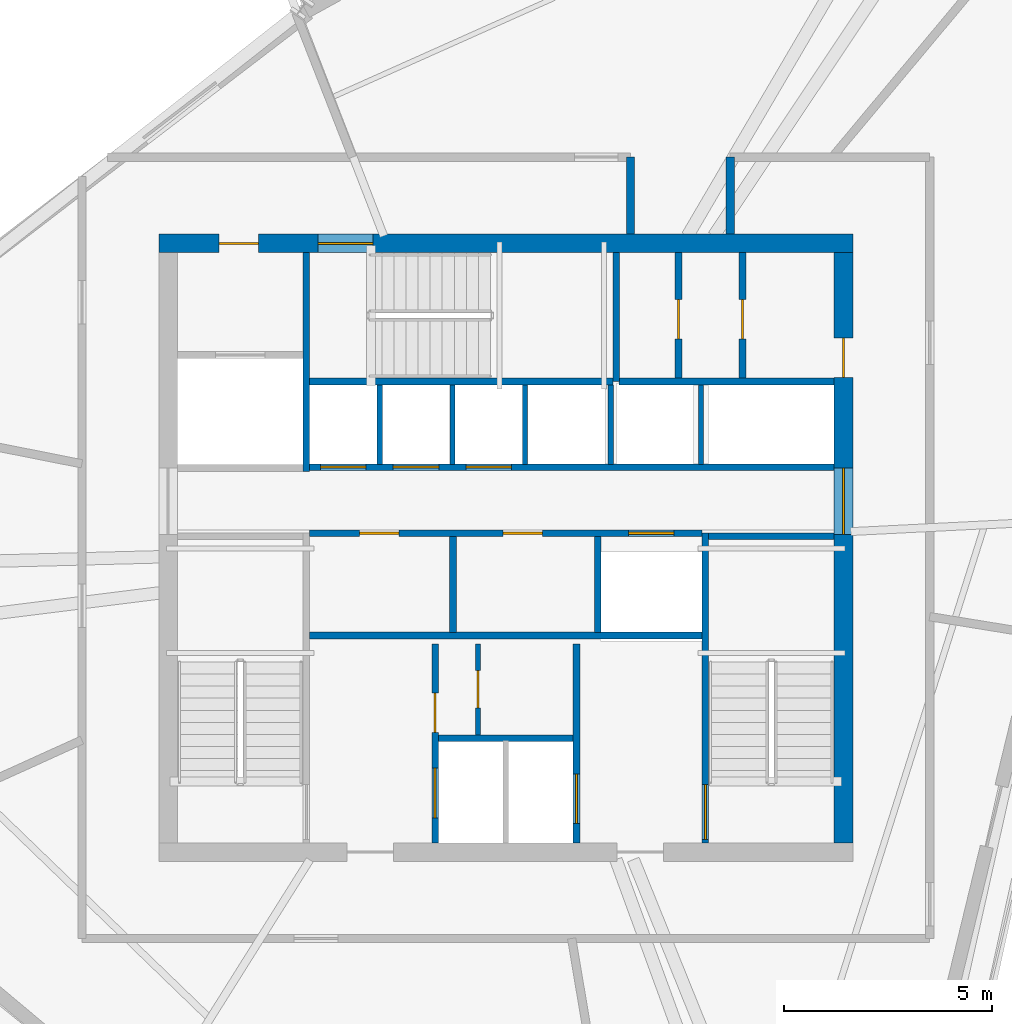
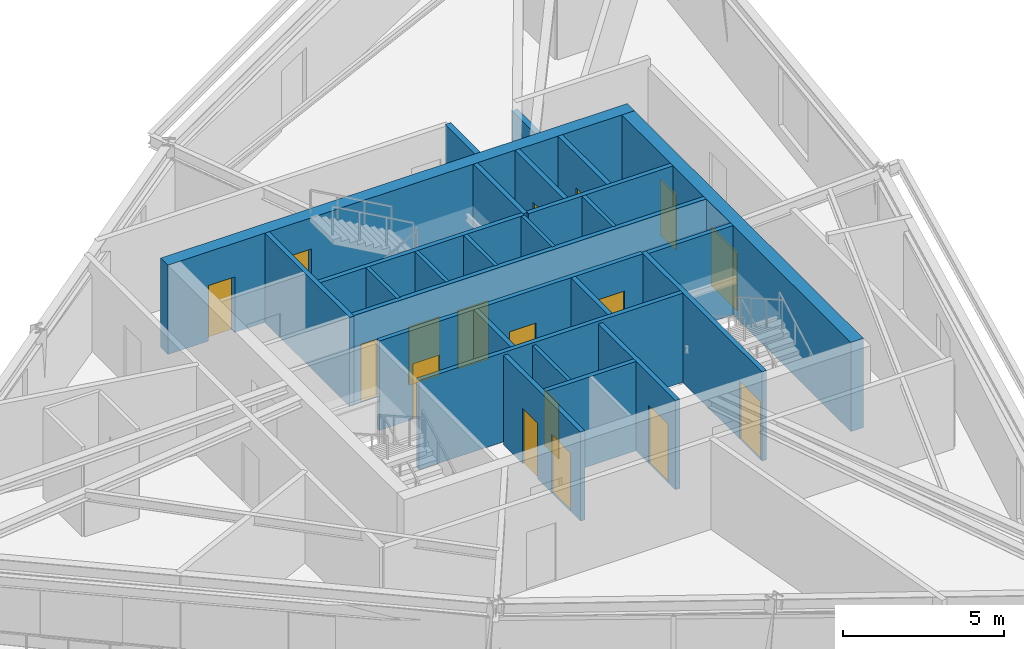
# One storey, part 9 of 13: 26 walls, 17 doors, 17 openings.
"""IFC4 building model written with IfcOpenShell, lengths in metres."""

from ifc_helpers import new_model, si_unit, direction, frame, frame_2d, origin, place, context, subcontext, project, spatial, rectangle, extrude, source, transform, mapped, material, layer, layer_set, type_object, type_shapes, element, fill, save


model = new_model("IFC4")

# Units and contexts
model_context = context("Model", 3, precision=1e-05, world=origin(), true_north=direction((0.0, 1.0)))
body_context = subcontext(model_context, "Body", "Model", "MODEL_VIEW")
ifc_project = project(units=[si_unit("LENGTHUNIT", "METRE"), si_unit("AREAUNIT", "SQUARE_METRE"), si_unit("VOLUMEUNIT", "CUBIC_METRE"), si_unit("PLANEANGLEUNIT", "RADIAN"), si_unit("MASSUNIT", "GRAM", prefix="KILO")], contexts=[model_context])

# Site, building, storey
site_placement = place(None, origin())
site = spatial("IfcSite", under=ifc_project, at=site_placement, CompositionType="ELEMENT")
building_placement = place(site_placement, origin())
building = spatial("IfcBuilding", under=site, at=building_placement, Name="Olszyna Solenne Hotel", CompositionType="ELEMENT")
storey_placement = place(building_placement, frame((0.0, 0.0, 266.89990234375)))
storey = spatial("IfcBuildingStorey", under=building, at=storey_placement, Name="L71", CompositionType="ELEMENT", Elevation=266.89990234375)

# Wall, openings, doors
ifc_material_1 = material(Name="Concrete C50/60", Category="concrete")
ifc_layer_1 = layer(ifc_material_1, 0.449951171875, Name="Concrete C50/60")
ifc_layer_set_1 = layer_set([ifc_layer_1], Name="Concrete C50/60")
wall_type_1 = type_object("IfcWallType", Name="WL-CR450", PredefinedType="SHEAR", material=ifc_layer_set_1)
wall_1_placement = place(storey_placement, frame((29.64990234375, 33.925048828125, 0.0), z_axis=(0.0, 0.0, 1.0), x_axis=(1.0, 0.0, 0.0)))
wall_1 = element("IfcWall", 1, at=wall_1_placement, inside=storey, type_object=wall_type_1, Name="Core shear wall WL-CR450 CRW-L71-N", PredefinedType="SHEAR", context=body_context, shape_type="SweptSolid", body=[
    extrude(rectangle(XDim=16.7001953125, YDim=0.449951171875, at=frame_2d((8.35009765625, 0.0))), origin(), (0.0, 0.0, 1.0), 3.380126953125),
])
opening_1_placement = place(wall_1_placement, frame((1.449951171875, 0.0, 0.0)))
opening_1 = element("IfcOpeningElement", 2, at=opening_1_placement, cuts=wall_1, Name="Opening SVD-L71-01", PredefinedType="OPENING", context=body_context, shape_type="SweptSolid", body=[
    extrude(rectangle(XDim=0.949951171875, YDim=2.10009765625, at=frame_2d((0.47509765625, 1.050048828125))), frame((0.0, 0.23486328125, 0.0), z_axis=(0.0, -1.0, 0.0), x_axis=(1.0, 0.0, 0.0)), (0.0, 0.0, 1.0), 0.469970703125),
])
opening_2_placement = place(wall_1_placement, frame((3.830078125, 0.0, 0.0)))
opening_2 = element("IfcOpeningElement", 3, at=opening_2_placement, cuts=wall_1, Name="Opening STD-L71-03", PredefinedType="OPENING", context=body_context, shape_type="SweptSolid", body=[
    extrude(rectangle(XDim=1.320068359375, YDim=2.199951171875, at=frame_2d((0.66015625, 1.10009765625))), frame((0.0, 0.23486328125, 0.0), z_axis=(0.0, -1.0, 0.0), x_axis=(1.0, 0.0, 0.0)), (0.0, 0.0, 1.0), 0.469970703125),
])
ifc_material_2 = material(Name="Steel S355J2", Category="steel")
door_type_1 = type_object("IfcDoorType", Name="DR-ST1", OperationType="NOTDEFINED", PredefinedType="DOOR", material=ifc_material_2)
shared_shape_1 = source(origin(), body_context, "Body", "SweptSolid", [
    extrude(rectangle(XDim=1.320068359375, YDim=2.199951171875, at=frame_2d((0.66015625, 1.10009765625))), frame((0.0, 0.02490234375, 0.0), z_axis=(0.0, -1.0, 0.0), x_axis=(1.0, 0.0, 0.0)), (0.0, 0.0, 1.0), 0.050048828125),
])
type_shapes(door_type_1, [shared_shape_1])
door_1_placement = place(opening_2_placement, origin())
door_1 = element("IfcDoor", 4, at=door_1_placement, inside=storey, type_object=door_type_1, Name="Pressurised exit stair ST3 fire door STD-L71-03", OperationType="SINGLE_SWING_RIGHT", OverallHeight=2.199951171875, OverallWidth=1.320068359375, PredefinedType="DOOR", context=body_context, shape_type="MappedRepresentation", body=[
    mapped(shared_shape_1, transform((0.0, 0.0, 0.0), x_axis=(1.0, 0.0, 0.0), y_axis=(0.0, 1.0, 0.0), z_axis=(0.0, 0.0, 1.0), scale=1.0)),
])
fill(opening_2, door_1)
door_type_2 = type_object("IfcDoorType", Name="DR-SV1", OperationType="NOTDEFINED", PredefinedType="DOOR", material=ifc_material_2)
shared_shape_2 = source(origin(), body_context, "Body", "SweptSolid", [
    extrude(rectangle(XDim=0.949951171875, YDim=2.10009765625, at=frame_2d((0.47509765625, 1.050048828125))), frame((0.0, 0.02490234375, 0.0), z_axis=(0.0, -1.0, 0.0), x_axis=(1.0, 0.0, 0.0)), (0.0, 0.0, 1.0), 0.050048828125),
])
type_shapes(door_type_2, [shared_shape_2])
door_2_placement = place(opening_1_placement, origin())
door_2 = element("IfcDoor", 5, at=door_2_placement, inside=storey, type_object=door_type_2, Name="Service lift lobby fire door SVD-L71-01", OperationType="SINGLE_SWING_LEFT", OverallHeight=2.10009765625, OverallWidth=0.949951171875, PredefinedType="DOOR", context=body_context, shape_type="MappedRepresentation", body=[
    mapped(shared_shape_2, transform((0.0, 0.0, 0.0), x_axis=(1.0, 0.0, 0.0), y_axis=(0.0, 1.0, 0.0), z_axis=(0.0, 0.0, 1.0), scale=1.0)),
])
fill(opening_1, door_2)

wall_2_placement = place(storey_placement, frame((46.125, 33.699951171875, 0.0), z_axis=(0.0, 0.0, 1.0), x_axis=(0.0, -1.0, 0.0)))
wall_2 = element("IfcWall", 6, at=wall_2_placement, inside=storey, type_object=wall_type_1, Name="Core shear wall WL-CR450 CRW-L71-E", PredefinedType="SHEAR", context=body_context, shape_type="SweptSolid", body=[
    extrude(rectangle(XDim=14.199951171875, YDim=0.449951171875, at=frame_2d((7.10009765625, 0.0))), origin(), (0.0, 0.0, 1.0), 3.380126953125),
])
opening_3_placement = place(wall_2_placement, frame((5.179931640625, 0.0, 0.0)))
opening_3 = element("IfcOpeningElement", 7, at=opening_3_placement, cuts=wall_2, Name="Opening LHD-L71-E", PredefinedType="OPENING", context=body_context, shape_type="SweptSolid", body=[
    extrude(rectangle(XDim=1.60009765625, YDim=2.199951171875, at=frame_2d((0.800048828125, 1.10009765625))), frame((0.0, 0.23486328125, 0.0), z_axis=(0.0, -1.0, 0.0), x_axis=(1.0, 0.0, 0.0)), (0.0, 0.0, 1.0), 0.469970703125),
])
opening_4_placement = place(wall_2_placement, frame((2.050048828125, 0.0, 0.0)))
opening_4 = element("IfcOpeningElement", 8, at=opening_4_placement, cuts=wall_2, Name="Opening SVD-L71-BE", PredefinedType="OPENING", context=body_context, shape_type="SweptSolid", body=[
    extrude(rectangle(XDim=0.949951171875, YDim=2.10009765625, at=frame_2d((0.47509765625, 1.050048828125))), frame((0.0, 0.23486328125, 0.0), z_axis=(0.0, -1.0, 0.0), x_axis=(1.0, 0.0, 0.0)), (0.0, 0.0, 1.0), 0.469970703125),
])
door_3_placement = place(opening_4_placement, origin())
door_3 = element("IfcDoor", 9, at=door_3_placement, inside=storey, type_object=door_type_2, Name="Housekeeping core fire door SVD-L71-BE", OperationType="SINGLE_SWING_RIGHT", OverallHeight=2.10009765625, OverallWidth=0.949951171875, PredefinedType="DOOR", context=body_context, shape_type="MappedRepresentation", body=[
    mapped(shared_shape_2, transform((0.0, 0.0, 0.0), x_axis=(1.0, 0.0, 0.0), y_axis=(0.0, 1.0, 0.0), z_axis=(0.0, 0.0, 1.0), scale=1.0)),
])
fill(opening_4, door_3)
ifc_material_3 = material(Name="Timber hardwood", Category="wood")
door_type_3 = type_object("IfcDoorType", Name="DR-CR1", OperationType="DOUBLE_DOOR_SINGLE_SWING", PredefinedType="DOOR", material=ifc_material_3)
shared_shape_3 = source(origin(), body_context, "Body", "SweptSolid", [
    extrude(rectangle(XDim=1.60009765625, YDim=2.199951171875, at=frame_2d((0.800048828125, 1.10009765625))), frame((0.0, 0.02490234375, 0.0), z_axis=(0.0, -1.0, 0.0), x_axis=(1.0, 0.0, 0.0)), (0.0, 0.0, 1.0), 0.050048828125),
])
type_shapes(door_type_3, [shared_shape_3])
door_4_placement = place(opening_3_placement, origin())
door_4 = element("IfcDoor", 10, at=door_4_placement, inside=storey, type_object=door_type_3, Name="Passenger lift lobby East fire door LHD-L71-E", OperationType="DOUBLE_DOOR_SINGLE_SWING", OverallHeight=2.199951171875, OverallWidth=1.60009765625, PredefinedType="DOOR", context=body_context, shape_type="MappedRepresentation", body=[
    mapped(shared_shape_3, transform((0.0, 0.0, 0.0), x_axis=(1.0, 0.0, 0.0), y_axis=(0.0, 1.0, 0.0), z_axis=(0.0, 0.0, 1.0), scale=1.0)),
])
fill(opening_3, door_4)

# Wall, opening, door
ifc_material_4 = material(Name="Acoustic gypsum partition", Category="gypsum")
ifc_layer_2 = layer(ifc_material_4, 0.125, Name="Acoustic gypsum partition")
ifc_layer_set_2 = layer_set([ifc_layer_2], Name="Acoustic gypsum partition")
wall_type_2 = type_object("IfcWallType", Name="WL-PT125", PredefinedType="PARTITIONING", material=ifc_layer_set_2)
wall_3_placement = place(storey_placement, frame((37.330078125, 22.10009765625, 0.0), z_axis=(0.0, 0.0, 1.0), x_axis=(0.0, 1.0, 0.0)))
wall_3 = element("IfcWall", 11, at=wall_3_placement, inside=storey, type_object=wall_type_2, Name="Core shaft compartment wall CW-L71-SC3", PredefinedType="PARTITIONING", context=body_context, shape_type="SweptSolid", body=[
    extrude(rectangle(XDim=2.179931640625, YDim=0.125, at=frame_2d((1.08984375, 0.0))), origin(), (0.0, 0.0, 1.0), 3.380126953125),
])
opening_5_placement = place(wall_3_placement, frame((0.64990234375, 0.0, 0.0)))
opening_5 = element("IfcOpeningElement", 12, at=opening_5_placement, cuts=wall_3, Name="Opening SVD-L71-SC3", PredefinedType="OPENING", context=body_context, shape_type="SweptSolid", body=[
    extrude(rectangle(XDim=0.89990234375, YDim=2.10009765625, at=frame_2d((0.449951171875, 1.050048828125))), frame((0.0, 0.072509765625, 0.0), z_axis=(0.0, -1.0, 0.0), x_axis=(1.0, 0.0, 0.0)), (0.0, 0.0, 1.0), 0.14501953125),
])
door_type_4 = type_object("IfcDoorType", Name="DR-WC1", OperationType="NOTDEFINED", PredefinedType="DOOR", material=ifc_material_3)
shared_shape_4 = source(origin(), body_context, "Body", "SweptSolid", [
    extrude(rectangle(XDim=0.89990234375, YDim=2.10009765625, at=frame_2d((0.449951171875, 1.050048828125))), frame((0.0, 0.02490234375, 0.0), z_axis=(0.0, -1.0, 0.0), x_axis=(1.0, 0.0, 0.0)), (0.0, 0.0, 1.0), 0.050048828125),
])
type_shapes(door_type_4, [shared_shape_4])
door_5_placement = place(opening_5_placement, origin())
door_5 = element("IfcDoor", 13, at=door_5_placement, inside=storey, type_object=door_type_4, Name="Trolley bay door SVD-L71-SC3", OperationType="SINGLE_SWING_LEFT", OverallHeight=2.10009765625, OverallWidth=0.89990234375, PredefinedType="DOOR", context=body_context, shape_type="MappedRepresentation", body=[
    mapped(shared_shape_4, transform((0.0, 0.0, 0.0), x_axis=(1.0, 0.0, 0.0), y_axis=(0.0, 1.0, 0.0), z_axis=(0.0, 0.0, 1.0), scale=1.0)),
])
fill(opening_5, door_5)

# Walls
for number, where, z_axis, x_axis, name in (
    (14, (34.965087890625, 28.60009765625, 0.0), (0.0, 0.0, 1.0), (0.0, 1.0, 0.0), "Core shaft compartment wall CW-L71-DIVN349"),
    (15, (36.715087890625, 28.60009765625, 0.0), (0.0, 0.0, 1.0), (0.0, 1.0, 0.0), "Core shaft compartment wall CW-L71-DIVN367"),
    (16, (38.465087890625, 28.60009765625, 0.0), (0.0, 0.0, 1.0), (0.0, 1.0, 0.0), "Core shaft compartment wall CW-L71-DIVN384"),
    (17, (40.52490234375, 28.60009765625, 0.0), (0.0, 0.0, 1.0), (0.0, 1.0, 0.0), "Core shaft compartment wall CW-L71-DIVEX405"),
    (18, (42.699951171875, 28.60009765625, 0.0), (0.0, 0.0, 1.0), (0.0, 1.0, 0.0), "Core shaft compartment wall CW-L71-DIVEX427"),
):
    element("IfcWall", number, at=place(storey_placement, frame(where, z_axis=z_axis, x_axis=x_axis)), inside=storey, type_object=wall_type_2, Name=name, PredefinedType="PARTITIONING", context=body_context, shape_type="SweptSolid", body=[
        extrude(rectangle(XDim=1.919921875, YDim=0.125, at=frame_2d((0.9599609375, 0.0))), origin(), (0.0, 0.0, 1.0), 3.380126953125),
    ])

# Wall, opening, door
ifc_layer_3 = layer(ifc_material_4, 0.159912109375, Name="Acoustic gypsum partition")
ifc_layer_set_3 = layer_set([ifc_layer_3], Name="Acoustic gypsum partition")
wall_type_3 = type_object("IfcWallType", Name="WL-PT160", PredefinedType="PARTITIONING", material=ifc_layer_set_3)
wall_4_placement = place(storey_placement, frame((42.800048828125, 26.9599609375, 0.0), z_axis=(0.0, 0.0, 1.0), x_axis=(0.0, -1.0, 0.0)))
wall_4 = element("IfcWall", 19, at=wall_4_placement, inside=storey, type_object=wall_type_3, Name="Core shaft compartment wall CW-L71-ST2W", PredefinedType="PARTITIONING", context=body_context, shape_type="SweptSolid", body=[
    extrude(rectangle(XDim=7.4599609375, YDim=0.159912109375, at=frame_2d((3.72998046875, 0.0))), origin(), (0.0, 0.0, 1.0), 3.380126953125),
])
opening_6_placement = place(wall_4_placement, frame((6.06005859375, 0.0, 0.0)))
opening_6 = element("IfcOpeningElement", 20, at=opening_6_placement, cuts=wall_4, Name="Opening STD-L71-02", PredefinedType="OPENING", context=body_context, shape_type="SweptSolid", body=[
    extrude(rectangle(XDim=1.320068359375, YDim=2.199951171875, at=frame_2d((0.66015625, 1.10009765625))), frame((0.0, 0.08984375, 0.0), z_axis=(0.0, -1.0, 0.0), x_axis=(1.0, 0.0, 0.0)), (0.0, 0.0, 1.0), 0.179931640625),
])
door_6_placement = place(opening_6_placement, origin())
door_6 = element("IfcDoor", 21, at=door_6_placement, inside=storey, type_object=door_type_1, Name="Pressurised exit stair ST2 fire door STD-L71-02", OperationType="SINGLE_SWING_RIGHT", OverallHeight=2.199951171875, OverallWidth=1.320068359375, PredefinedType="DOOR", context=body_context, shape_type="MappedRepresentation", body=[
    mapped(shared_shape_1, transform((0.0, 0.0, 0.0), x_axis=(1.0, 0.0, 0.0), y_axis=(0.0, 1.0, 0.0), z_axis=(0.0, 0.0, 1.0), scale=1.0)),
])
fill(opening_6, door_6)

# Walls
wall_5_placement = place(storey_placement, frame((42.8798828125, 26.8798828125, 0.0), z_axis=(0.0, 0.0, 1.0), x_axis=(1.0, 0.0, 0.0)))
element("IfcWall", 22, at=wall_5_placement, inside=storey, type_object=wall_type_3, Name="Core shaft compartment wall CW-L71-ST2N", PredefinedType="PARTITIONING", context=body_context, shape_type="SweptSolid", body=[
    extrude(rectangle(XDim=3.02001953125, YDim=0.159912109375, at=frame_2d((1.510009765625, 0.0))), origin(), (0.0, 0.0, 1.0), 3.380126953125),
])
wall_6_placement = place(storey_placement, frame((33.280029296875, 30.60009765625, 0.0), z_axis=(0.0, 0.0, 1.0), x_axis=(1.0, 0.0, 0.0)))
element("IfcWall", 23, at=wall_6_placement, inside=storey, type_object=wall_type_3, Name="Core shaft compartment wall CW-L71-ST3S", PredefinedType="PARTITIONING", context=body_context, shape_type="SweptSolid", body=[
    extrude(rectangle(XDim=7.300048828125, YDim=0.159912109375, at=frame_2d((3.64990234375, 0.0))), origin(), (0.0, 0.0, 1.0), 3.380126953125),
])
wall_7_placement = place(storey_placement, frame((40.659912109375, 30.60009765625, 0.0), z_axis=(0.0, 0.0, 1.0), x_axis=(0.0, 1.0, 0.0)))
element("IfcWall", 24, at=wall_7_placement, inside=storey, type_object=wall_type_3, Name="Core shaft compartment wall CW-L71-ST3E", PredefinedType="PARTITIONING", context=body_context, shape_type="SweptSolid", body=[
    extrude(rectangle(XDim=3.099853515625, YDim=0.159912109375, at=frame_2d((1.5498046875, 0.0))), origin(), (0.0, 0.0, 1.0), 3.380126953125),
])

# Wall, openings, doors
wall_8_placement = place(storey_placement, frame((36.300048828125, 19.5, 0.0), z_axis=(0.0, 0.0, 1.0), x_axis=(0.0, 1.0, 0.0)))
wall_8 = element("IfcWall", 25, at=wall_8_placement, inside=storey, type_object=wall_type_3, Name="Core shaft compartment wall CW-L71-FF1W", PredefinedType="PARTITIONING", context=body_context, shape_type="SweptSolid", body=[
    extrude(rectangle(XDim=4.780029296875, YDim=0.159912109375, at=frame_2d((2.39013671875, 0.0))), origin(), (0.0, 0.0, 1.0), 3.380126953125),
])
opening_7_placement = place(wall_8_placement, frame((0.60009765625, 0.0, 0.0)))
opening_7 = element("IfcOpeningElement", 26, at=opening_7_placement, cuts=wall_8, Name="Opening LD-L71-FF1", PredefinedType="OPENING", context=body_context, shape_type="SweptSolid", body=[
    extrude(rectangle(XDim=1.199951171875, YDim=2.199951171875, at=frame_2d((0.60009765625, 1.10009765625))), frame((0.0, 0.08984375, 0.0), z_axis=(0.0, -1.0, 0.0), x_axis=(1.0, 0.0, 0.0)), (0.0, 0.0, 1.0), 0.179931640625),
])
opening_8_placement = place(wall_8_placement, frame((2.64990234375, 0.0, 0.0)))
opening_8 = element("IfcOpeningElement", 27, at=opening_8_placement, cuts=wall_8, Name="Opening SVD-L71-SMK", PredefinedType="OPENING", context=body_context, shape_type="SweptSolid", body=[
    extrude(rectangle(XDim=0.949951171875, YDim=2.10009765625, at=frame_2d((0.47509765625, 1.050048828125))), frame((0.0, 0.08984375, 0.0), z_axis=(0.0, -1.0, 0.0), x_axis=(1.0, 0.0, 0.0)), (0.0, 0.0, 1.0), 0.179931640625),
])
door_7_placement = place(opening_8_placement, origin())
door_7 = element("IfcDoor", 28, at=door_7_placement, inside=storey, type_object=door_type_2, Name="Valet and core service room door SVD-L71-SMK", OperationType="SINGLE_SWING_LEFT", OverallHeight=2.10009765625, OverallWidth=0.949951171875, PredefinedType="DOOR", context=body_context, shape_type="MappedRepresentation", body=[
    mapped(shared_shape_2, transform((0.0, 0.0, 0.0), x_axis=(1.0, 0.0, 0.0), y_axis=(0.0, 1.0, 0.0), z_axis=(0.0, 0.0, 1.0), scale=1.0)),
])
fill(opening_8, door_7)
door_type_5 = type_object("IfcDoorType", Name="LD-FF1", OperationType="DOUBLE_DOOR_SLIDING", PredefinedType="DOOR", material=ifc_material_2)
shared_shape_5 = source(origin(), body_context, "Body", "SweptSolid", [
    extrude(rectangle(XDim=1.199951171875, YDim=2.199951171875, at=frame_2d((0.60009765625, 1.10009765625))), frame((0.0, 0.02490234375, 0.0), z_axis=(0.0, -1.0, 0.0), x_axis=(1.0, 0.0, 0.0)), (0.0, 0.0, 1.0), 0.050048828125),
])
type_shapes(door_type_5, [shared_shape_5])
door_8_placement = place(opening_7_placement, origin())
door_8 = element("IfcDoor", 29, at=door_8_placement, inside=storey, type_object=door_type_5, Name="Firefighters lift FF1 sliding landing door LD-L71-FF1", OperationType="DOUBLE_DOOR_SLIDING", OverallHeight=2.199951171875, OverallWidth=1.199951171875, PredefinedType="DOOR", context=body_context, shape_type="MappedRepresentation", body=[
    mapped(shared_shape_5, transform((0.0, 0.0, 0.0), x_axis=(1.0, 0.0, 0.0), y_axis=(0.0, 1.0, 0.0), z_axis=(0.0, 0.0, 1.0), scale=1.0)),
])
fill(opening_7, door_8)

# Wall, opening, door
wall_9_placement = place(storey_placement, frame((39.699951171875, 24.280029296875, 0.0), z_axis=(0.0, 0.0, 1.0), x_axis=(0.0, -1.0, 0.0)))
wall_9 = element("IfcWall", 30, at=wall_9_placement, inside=storey, type_object=wall_type_3, Name="Core shaft compartment wall CW-L71-FF2E", PredefinedType="PARTITIONING", context=body_context, shape_type="SweptSolid", body=[
    extrude(rectangle(XDim=4.780029296875, YDim=0.159912109375, at=frame_2d((2.39013671875, 0.0))), origin(), (0.0, 0.0, 1.0), 3.380126953125),
])
opening_9_placement = place(wall_9_placement, frame((3.1201171875, 0.0, 0.0)))
opening_9 = element("IfcOpeningElement", 31, at=opening_9_placement, cuts=wall_9, Name="Opening LD-L71-FF2", PredefinedType="OPENING", context=body_context, shape_type="SweptSolid", body=[
    extrude(rectangle(XDim=1.199951171875, YDim=2.199951171875, at=frame_2d((0.60009765625, 1.10009765625))), frame((0.0, 0.08984375, 0.0), z_axis=(0.0, -1.0, 0.0), x_axis=(1.0, 0.0, 0.0)), (0.0, 0.0, 1.0), 0.179931640625),
])
door_9_placement = place(opening_9_placement, origin())
door_9 = element("IfcDoor", 32, at=door_9_placement, inside=storey, type_object=door_type_5, Name="Firefighters lift FF2 sliding landing door LD-L71-FF2", OperationType="DOUBLE_DOOR_SLIDING", OverallHeight=2.199951171875, OverallWidth=1.199951171875, PredefinedType="DOOR", context=body_context, shape_type="MappedRepresentation", body=[
    mapped(shared_shape_5, transform((0.0, 0.0, 0.0), x_axis=(1.0, 0.0, 0.0), y_axis=(0.0, 1.0, 0.0), z_axis=(0.0, 0.0, 1.0), scale=1.0)),
])
fill(opening_9, door_9)

# Walls
wall_10_placement = place(storey_placement, frame((36.3798828125, 22.02001953125, 0.0), z_axis=(0.0, 0.0, 1.0), x_axis=(1.0, 0.0, 0.0)))
element("IfcWall", 33, at=wall_10_placement, inside=storey, type_object=wall_type_3, Name="Core shaft compartment wall CW-L71-FFN", PredefinedType="PARTITIONING", context=body_context, shape_type="SweptSolid", body=[
    extrude(rectangle(XDim=3.240234375, YDim=0.159912109375, at=frame_2d((1.6201171875, 0.0))), origin(), (0.0, 0.0, 1.0), 3.380126953125),
])
wall_11_placement = place(storey_placement, frame((33.280029296875, 24.489990234375, 0.0), z_axis=(0.0, 0.0, 1.0), x_axis=(1.0, 0.0, 0.0)))
element("IfcWall", 34, at=wall_11_placement, inside=storey, type_object=wall_type_3, Name="Core shaft compartment wall CW-L71-FFBN", PredefinedType="PARTITIONING", context=body_context, shape_type="SweptSolid", body=[
    extrude(rectangle(XDim=9.43994140625, YDim=0.159912109375, at=frame_2d((4.719970703125, 0.0))), origin(), (0.0, 0.0, 1.0), 3.380126953125),
])
wall_12_placement = place(storey_placement, frame((33.199951171875, 28.43994140625, 0.0), z_axis=(0.0, 0.0, 1.0), x_axis=(0.0, 1.0, 0.0)))
element("IfcWall", 35, at=wall_12_placement, inside=storey, type_object=wall_type_3, Name="Core shaft compartment wall CW-L71-SV1E", PredefinedType="PARTITIONING", context=body_context, shape_type="SweptSolid", body=[
    extrude(rectangle(XDim=5.260009765625, YDim=0.159912109375, at=frame_2d((2.6298828125, 0.0))), origin(), (0.0, 0.0, 1.0), 3.380126953125),
])

# Wall, openings, doors
wall_13_placement = place(storey_placement, frame((33.280029296875, 26.949951171875, 0.0), z_axis=(0.0, 0.0, 1.0), x_axis=(1.0, 0.0, 0.0)))
wall_13 = element("IfcWall", 36, at=wall_13_placement, inside=storey, type_object=wall_type_3, Name="Core shaft compartment wall CW-L71-LRS", PredefinedType="PARTITIONING", context=body_context, shape_type="SweptSolid", body=[
    extrude(rectangle(XDim=9.43994140625, YDim=0.159912109375, at=frame_2d((4.719970703125, 0.0))), origin(), (0.0, 0.0, 1.0), 3.380126953125),
])
opening_10_placement = place(wall_13_placement, frame((1.199951171875, 0.0, 0.0)))
opening_10 = element("IfcOpeningElement", 37, at=opening_10_placement, cuts=wall_13, Name="Opening SVD-L71-L71", PredefinedType="OPENING", context=body_context, shape_type="SweptSolid", body=[
    extrude(rectangle(XDim=0.949951171875, YDim=2.10009765625, at=frame_2d((0.47509765625, 1.050048828125))), frame((0.0, 0.08984375, 0.0), z_axis=(0.0, -1.0, 0.0), x_axis=(1.0, 0.0, 0.0)), (0.0, 0.0, 1.0), 0.179931640625),
])
opening_11_placement = place(wall_13_placement, frame((4.64990234375, 0.0, 0.0)))
opening_11 = element("IfcOpeningElement", 38, at=opening_11_placement, cuts=wall_13, Name="Opening SVD-L71-L72", PredefinedType="OPENING", context=body_context, shape_type="SweptSolid", body=[
    extrude(rectangle(XDim=0.949951171875, YDim=2.10009765625, at=frame_2d((0.47509765625, 1.050048828125))), frame((0.0, 0.08984375, 0.0), z_axis=(0.0, -1.0, 0.0), x_axis=(1.0, 0.0, 0.0)), (0.0, 0.0, 1.0), 0.179931640625),
])
opening_12_placement = place(wall_13_placement, frame((7.669921875, 0.0, 0.0)))
opening_12 = element("IfcOpeningElement", 39, at=opening_12_placement, cuts=wall_13, Name="Opening LD-L71-PL5", PredefinedType="OPENING", context=body_context, shape_type="SweptSolid", body=[
    extrude(rectangle(XDim=1.10009765625, YDim=2.199951171875, at=frame_2d((0.550048828125, 1.10009765625))), frame((0.0, 0.08984375, 0.0), z_axis=(0.0, -1.0, 0.0), x_axis=(1.0, 0.0, 0.0)), (0.0, 0.0, 1.0), 0.179931640625),
])
door_10_placement = place(opening_10_placement, origin())
door_10 = element("IfcDoor", 40, at=door_10_placement, inside=storey, type_object=door_type_2, Name="Recaptured core room fire door SVD-L71-L71", OperationType="SINGLE_SWING_LEFT", OverallHeight=2.10009765625, OverallWidth=0.949951171875, PredefinedType="DOOR", context=body_context, shape_type="MappedRepresentation", body=[
    mapped(shared_shape_2, transform((0.0, 0.0, 0.0), x_axis=(1.0, 0.0, 0.0), y_axis=(0.0, 1.0, 0.0), z_axis=(0.0, 0.0, 1.0), scale=1.0)),
])
fill(opening_10, door_10)
door_11_placement = place(opening_11_placement, origin())
door_11 = element("IfcDoor", 41, at=door_11_placement, inside=storey, type_object=door_type_2, Name="Recaptured core room fire door SVD-L71-L72", OperationType="SINGLE_SWING_RIGHT", OverallHeight=2.10009765625, OverallWidth=0.949951171875, PredefinedType="DOOR", context=body_context, shape_type="MappedRepresentation", body=[
    mapped(shared_shape_2, transform((0.0, 0.0, 0.0), x_axis=(1.0, 0.0, 0.0), y_axis=(0.0, 1.0, 0.0), z_axis=(0.0, 0.0, 1.0), scale=1.0)),
])
fill(opening_11, door_11)
door_type_6 = type_object("IfcDoorType", Name="LD-P1", OperationType="DOUBLE_DOOR_SLIDING", PredefinedType="DOOR", material=ifc_material_2)
shared_shape_6 = source(origin(), body_context, "Body", "SweptSolid", [
    extrude(rectangle(XDim=1.10009765625, YDim=2.199951171875, at=frame_2d((0.550048828125, 1.10009765625))), frame((0.0, 0.02490234375, 0.0), z_axis=(0.0, -1.0, 0.0), x_axis=(1.0, 0.0, 0.0)), (0.0, 0.0, 1.0), 0.050048828125),
])
type_shapes(door_type_6, [shared_shape_6])
door_12_placement = place(opening_12_placement, origin())
door_12 = element("IfcDoor", 42, at=door_12_placement, inside=storey, type_object=door_type_6, Name="Passenger lift PL5 sliding landing door LD-L71-PL5", OperationType="DOUBLE_DOOR_SLIDING", OverallHeight=2.199951171875, OverallWidth=1.10009765625, PredefinedType="DOOR", context=body_context, shape_type="MappedRepresentation", body=[
    mapped(shared_shape_6, transform((0.0, 0.0, 0.0), x_axis=(1.0, 0.0, 0.0), y_axis=(0.0, 1.0, 0.0), z_axis=(0.0, 0.0, 1.0), scale=1.0)),
])
fill(opening_12, door_12)

# Walls
for number, where, z_axis, x_axis, name in (
    (43, (36.72998046875, 24.56005859375, 0.0), (0.0, 0.0, 1.0), (0.0, 1.0, 0.0), "Core shaft compartment wall CW-L71-LV7DIV1"),
    (44, (40.215087890625, 24.56005859375, 0.0), (0.0, 0.0, 1.0), (0.0, 1.0, 0.0), "Core shaft compartment wall CW-L71-LV7DIV2"),
):
    element("IfcWall", number, at=place(storey_placement, frame(where, z_axis=z_axis, x_axis=x_axis)), inside=storey, type_object=wall_type_3, Name=name, PredefinedType="PARTITIONING", context=body_context, shape_type="SweptSolid", body=[
        extrude(rectangle(XDim=2.31005859375, YDim=0.159912109375, at=frame_2d((1.155029296875, 0.0))), origin(), (0.0, 0.0, 1.0), 3.380126953125),
    ])

# Wall, openings, doors
wall_14_placement = place(storey_placement, frame((33.280029296875, 28.5400390625, 0.0), z_axis=(0.0, 0.0, 1.0), x_axis=(1.0, 0.0, 0.0)))
wall_14 = element("IfcWall", 45, at=wall_14_placement, inside=storey, type_object=wall_type_3, Name="Core shaft compartment wall CW-L71-LRN", PredefinedType="PARTITIONING", context=body_context, shape_type="SweptSolid", body=[
    extrude(rectangle(XDim=12.619873046875, YDim=0.159912109375, at=frame_2d((6.31005859375, 0.0))), origin(), (0.0, 0.0, 1.0), 3.380126953125),
])
opening_13_placement = place(wall_14_placement, frame((0.260009765625, 0.0, 0.0)))
opening_13 = element("IfcOpeningElement", 46, at=opening_13_placement, cuts=wall_14, Name="Opening LD-L71-PL6", PredefinedType="OPENING", context=body_context, shape_type="SweptSolid", body=[
    extrude(rectangle(XDim=1.10009765625, YDim=2.199951171875, at=frame_2d((0.550048828125, 1.10009765625))), frame((0.0, 0.08984375, 0.0), z_axis=(0.0, -1.0, 0.0), x_axis=(1.0, 0.0, 0.0)), (0.0, 0.0, 1.0), 0.179931640625),
])
opening_14_placement = place(wall_14_placement, frame((2.010009765625, 0.0, 0.0)))
opening_14 = element("IfcOpeningElement", 47, at=opening_14_placement, cuts=wall_14, Name="Opening LD-L71-PL7", PredefinedType="OPENING", context=body_context, shape_type="SweptSolid", body=[
    extrude(rectangle(XDim=1.10009765625, YDim=2.199951171875, at=frame_2d((0.550048828125, 1.10009765625))), frame((0.0, 0.08984375, 0.0), z_axis=(0.0, -1.0, 0.0), x_axis=(1.0, 0.0, 0.0)), (0.0, 0.0, 1.0), 0.179931640625),
])
opening_15_placement = place(wall_14_placement, frame((3.760009765625, 0.0, 0.0)))
opening_15 = element("IfcOpeningElement", 48, at=opening_15_placement, cuts=wall_14, Name="Opening LD-L71-PL8", PredefinedType="OPENING", context=body_context, shape_type="SweptSolid", body=[
    extrude(rectangle(XDim=1.10009765625, YDim=2.199951171875, at=frame_2d((0.550048828125, 1.10009765625))), frame((0.0, 0.08984375, 0.0), z_axis=(0.0, -1.0, 0.0), x_axis=(1.0, 0.0, 0.0)), (0.0, 0.0, 1.0), 0.179931640625),
])
door_13_placement = place(opening_13_placement, origin())
door_13 = element("IfcDoor", 49, at=door_13_placement, inside=storey, type_object=door_type_6, Name="Passenger lift PL6 sliding landing door LD-L71-PL6", OperationType="DOUBLE_DOOR_SLIDING", OverallHeight=2.199951171875, OverallWidth=1.10009765625, PredefinedType="DOOR", context=body_context, shape_type="MappedRepresentation", body=[
    mapped(shared_shape_6, transform((0.0, 0.0, 0.0), x_axis=(1.0, 0.0, 0.0), y_axis=(0.0, 1.0, 0.0), z_axis=(0.0, 0.0, 1.0), scale=1.0)),
])
fill(opening_13, door_13)
door_14_placement = place(opening_14_placement, origin())
door_14 = element("IfcDoor", 50, at=door_14_placement, inside=storey, type_object=door_type_6, Name="Passenger lift PL7 sliding landing door LD-L71-PL7", OperationType="DOUBLE_DOOR_SLIDING", OverallHeight=2.199951171875, OverallWidth=1.10009765625, PredefinedType="DOOR", context=body_context, shape_type="MappedRepresentation", body=[
    mapped(shared_shape_6, transform((0.0, 0.0, 0.0), x_axis=(1.0, 0.0, 0.0), y_axis=(0.0, 1.0, 0.0), z_axis=(0.0, 0.0, 1.0), scale=1.0)),
])
fill(opening_14, door_14)
door_15_placement = place(opening_15_placement, origin())
door_15 = element("IfcDoor", 51, at=door_15_placement, inside=storey, type_object=door_type_6, Name="Passenger lift PL8 sliding landing door LD-L71-PL8", OperationType="DOUBLE_DOOR_SLIDING", OverallHeight=2.199951171875, OverallWidth=1.10009765625, PredefinedType="DOOR", context=body_context, shape_type="MappedRepresentation", body=[
    mapped(shared_shape_6, transform((0.0, 0.0, 0.0), x_axis=(1.0, 0.0, 0.0), y_axis=(0.0, 1.0, 0.0), z_axis=(0.0, 0.0, 1.0), scale=1.0)),
])
fill(opening_15, door_15)

# Wall
wall_15_placement = place(storey_placement, frame((40.719970703125, 30.60009765625, 0.0), z_axis=(0.0, 0.0, 1.0), x_axis=(1.0, 0.0, 0.0)))
element("IfcWall", 52, at=wall_15_placement, inside=storey, type_object=wall_type_3, Name="Core shaft compartment wall CW-L71-LRNTOP", PredefinedType="PARTITIONING", context=body_context, shape_type="SweptSolid", body=[
    extrude(rectangle(XDim=5.179931640625, YDim=0.159912109375, at=frame_2d((2.58984375, 0.0))), origin(), (0.0, 0.0, 1.0), 3.380126953125),
])

# Wall, opening, door
wall_16_placement = place(storey_placement, frame((42.155029296875, 30.679931640625, 0.0), z_axis=(0.0, 0.0, 1.0), x_axis=(0.0, 1.0, 0.0)))
wall_16 = element("IfcWall", 53, at=wall_16_placement, inside=storey, type_object=wall_type_3, Name="Core shaft compartment wall CW-L71-BOH3A", PredefinedType="PARTITIONING", context=body_context, shape_type="SweptSolid", body=[
    extrude(rectangle(XDim=3.02001953125, YDim=0.159912109375, at=frame_2d((1.510009765625, 0.0))), origin(), (0.0, 0.0, 1.0), 3.380126953125),
])
opening_16_placement = place(wall_16_placement, frame((0.949951171875, 0.0, 0.0)))
opening_16 = element("IfcOpeningElement", 54, at=opening_16_placement, cuts=wall_16, Name="Opening SVD-L71-B31", PredefinedType="OPENING", context=body_context, shape_type="SweptSolid", body=[
    extrude(rectangle(XDim=0.949951171875, YDim=2.10009765625, at=frame_2d((0.47509765625, 1.050048828125))), frame((0.0, 0.08984375, 0.0), z_axis=(0.0, -1.0, 0.0), x_axis=(1.0, 0.0, 0.0)), (0.0, 0.0, 1.0), 0.179931640625),
])
door_16_placement = place(opening_16_placement, origin())
door_16 = element("IfcDoor", 55, at=door_16_placement, inside=storey, type_object=door_type_2, Name="BOH inter-room fire door SVD-L71-B31", OperationType="SINGLE_SWING_LEFT", OverallHeight=2.10009765625, OverallWidth=0.949951171875, PredefinedType="DOOR", context=body_context, shape_type="MappedRepresentation", body=[
    mapped(shared_shape_2, transform((0.0, 0.0, 0.0), x_axis=(1.0, 0.0, 0.0), y_axis=(0.0, 1.0, 0.0), z_axis=(0.0, 0.0, 1.0), scale=1.0)),
])
fill(opening_16, door_16)

wall_17_placement = place(storey_placement, frame((43.695068359375, 30.679931640625, 0.0), z_axis=(0.0, 0.0, 1.0), x_axis=(0.0, 1.0, 0.0)))
wall_17 = element("IfcWall", 56, at=wall_17_placement, inside=storey, type_object=wall_type_3, Name="Core shaft compartment wall CW-L71-BOH3B", PredefinedType="PARTITIONING", context=body_context, shape_type="SweptSolid", body=[
    extrude(rectangle(XDim=3.02001953125, YDim=0.159912109375, at=frame_2d((1.510009765625, 0.0))), origin(), (0.0, 0.0, 1.0), 3.380126953125),
])
opening_17_placement = place(wall_17_placement, frame((0.949951171875, 0.0, 0.0)))
opening_17 = element("IfcOpeningElement", 57, at=opening_17_placement, cuts=wall_17, Name="Opening SVD-L71-B32", PredefinedType="OPENING", context=body_context, shape_type="SweptSolid", body=[
    extrude(rectangle(XDim=0.949951171875, YDim=2.10009765625, at=frame_2d((0.47509765625, 1.050048828125))), frame((0.0, 0.08984375, 0.0), z_axis=(0.0, -1.0, 0.0), x_axis=(1.0, 0.0, 0.0)), (0.0, 0.0, 1.0), 0.179931640625),
])
door_17_placement = place(opening_17_placement, origin())
door_17 = element("IfcDoor", 58, at=door_17_placement, inside=storey, type_object=door_type_2, Name="BOH inter-room fire door SVD-L71-B32", OperationType="SINGLE_SWING_LEFT", OverallHeight=2.10009765625, OverallWidth=0.949951171875, PredefinedType="DOOR", context=body_context, shape_type="MappedRepresentation", body=[
    mapped(shared_shape_2, transform((0.0, 0.0, 0.0), x_axis=(1.0, 0.0, 0.0), y_axis=(0.0, 1.0, 0.0), z_axis=(0.0, 0.0, 1.0), scale=1.0)),
])
fill(opening_17, door_17)

# Walls
ifc_layer_4 = layer(ifc_material_4, 0.199951171875, Name="Acoustic gypsum partition")
ifc_layer_set_4 = layer_set([ifc_layer_4], Name="Acoustic gypsum partition")
wall_type_4 = type_object("IfcWallType", Name="WL-PT200", PredefinedType="PARTITIONING", material=ifc_layer_set_4)
wall_18_placement = place(storey_placement, frame((41.0, 34.14990234375, 0.0), z_axis=(0.0, 0.0, 1.0), x_axis=(0.0, 1.0, 0.0)))
element("IfcWall", 59, at=wall_18_placement, inside=storey, type_object=wall_type_4, Name="Interior acoustic partition WL-PT200 PW-L71-3936", PredefinedType="PARTITIONING", context=body_context, shape_type="SweptSolid", body=[
    extrude(rectangle(XDim=1.85009765625, YDim=0.199951171875, at=frame_2d((0.925048828125, 0.0))), origin(), (0.0, 0.0, 1.0), 3.380126953125),
])
wall_19_placement = place(storey_placement, frame((43.39990234375, 34.14990234375, 0.0), z_axis=(0.0, 0.0, 1.0), x_axis=(0.0, 1.0, 0.0)))
element("IfcWall", 60, at=wall_19_placement, inside=storey, type_object=wall_type_4, Name="Interior acoustic partition WL-PT200 PW-L71-3938", PredefinedType="PARTITIONING", context=body_context, shape_type="SweptSolid", body=[
    extrude(rectangle(XDim=1.85009765625, YDim=0.199951171875, at=frame_2d((0.925048828125, 0.0))), origin(), (0.0, 0.0, 1.0), 3.05517578125),
])

save(model, "model.ifc")
